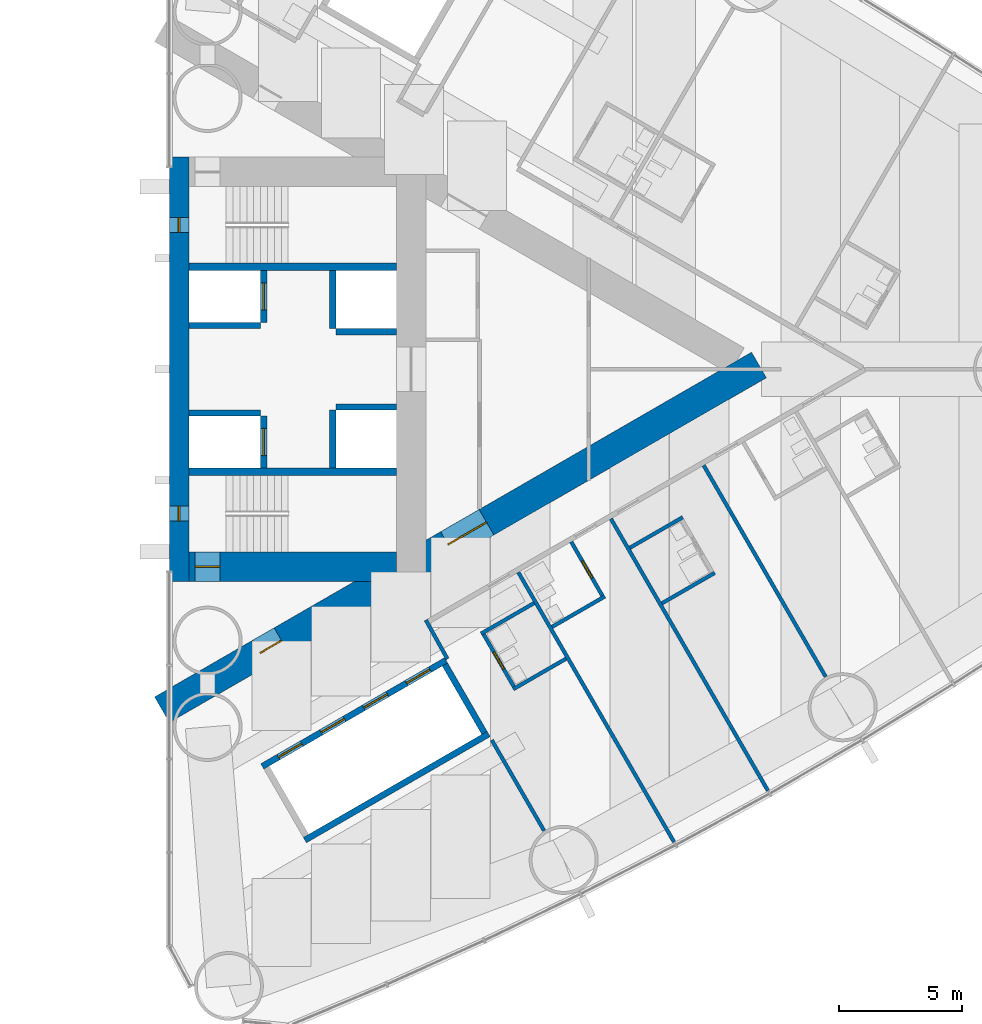
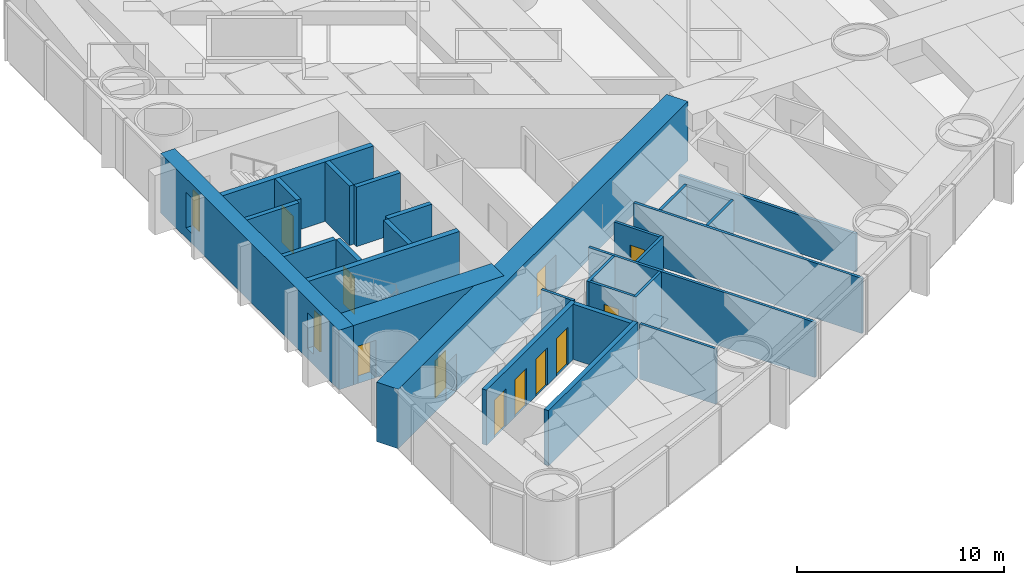
# One storey, part 14 of 19: 28 walls, 11 doors, 2 windows, 13 openings.
"""IFC4 building model written with IfcOpenShell, lengths in metres."""

from ifc_helpers import new_model, si_unit, direction, frame, frame_2d, origin, place, context, subcontext, project, spatial, rectangle, extrude, material, layer, layer_set, type_object, element, fill, save


model = new_model("IFC4")

# Units and contexts
model_context = context("Model", 3, precision=1e-05, world=origin(), true_north=direction((0.0, 1.0)))
body_context = subcontext(model_context, "Body", "Model", "MODEL_VIEW")
ifc_project = project(units=[si_unit("LENGTHUNIT", "METRE"), si_unit("AREAUNIT", "SQUARE_METRE"), si_unit("VOLUMEUNIT", "CUBIC_METRE"), si_unit("PLANEANGLEUNIT", "RADIAN"), si_unit("MASSUNIT", "GRAM", prefix="KILO")], contexts=[model_context])

# Site, building, storey
site_placement = place(None, origin())
site = spatial("IfcSite", under=ifc_project, at=site_placement, CompositionType="ELEMENT")
building_placement = place(site_placement, origin())
building = spatial("IfcBuilding", under=site, at=building_placement, Name="Lancet Gate Hotel", CompositionType="ELEMENT")
storey_placement = place(building_placement, frame((0.0, 0.0, 67.0)))
storey = spatial("IfcBuildingStorey", under=building, at=storey_placement, Name="L17", CompositionType="ELEMENT", Elevation=67.0)

# Wall
ifc_material_1 = material(Name="Moisture resistant board partition")
ifc_layer_1 = layer(ifc_material_1, 0.14990234375)
ifc_layer_set_1 = layer_set([ifc_layer_1], Name="Bathroom wall 150")
wall_type_1 = type_object("IfcWallType", Name="Bathroom wall 150", PredefinedType="PARTITIONING", material=ifc_layer_set_1)
wall_1_placement = place(storey_placement, frame((43.01220703125, -10.4443359375, 0.0), z_axis=(0.0, 0.0, 1.0), x_axis=(0.866031185235, 0.4999899861, 0.0)))
element("IfcWall", 1, at=wall_1_placement, inside=storey, type_object=wall_type_1, Name="T2 bathroom wall 150 L17", PredefinedType="PARTITIONING", context=body_context, shape_type="SweptSolid", body=[
    extrude(rectangle(XDim=2.47509765625, YDim=0.14990234375, at=frame_2d((1.237548828125, 0.0))), origin(), (0.0, 0.0, 1.0), 3.25),
])

# Wall, opening, door
wall_2_placement = place(storey_placement, frame((43.790771484375, -6.99267578125, 0.0), z_axis=(0.0, 0.0, 1.0), x_axis=(0.500047596559, -0.865997922154, 0.0)))
wall_2 = element("IfcWall", 2, at=wall_2_placement, inside=storey, type_object=wall_type_1, Name="T2 bathroom wall 150 L17", PredefinedType="PARTITIONING", context=body_context, shape_type="SweptSolid", body=[
    extrude(rectangle(XDim=2.599853515625, YDim=0.14990234375, at=frame_2d((1.2998046875, 0.0))), origin(), (0.0, 0.0, 1.0), 3.25),
])
opening_1_placement = place(wall_2_placement, frame((0.89990234375, 0.0, 0.0)))
opening_1 = element("IfcOpeningElement", 3, at=opening_1_placement, cuts=wall_2, Name="Opening 1754-B", PredefinedType="OPENING", context=body_context, shape_type="SweptSolid", body=[
    extrude(rectangle(XDim=0.800048828125, YDim=2.199951171875, at=frame_2d((0.39990234375, 1.10009765625))), frame((0.0, 0.0849609375, 0.0), z_axis=(0.0, -1.0, 0.0), x_axis=(1.0, 0.0, 0.0)), (0.0, 0.0, 1.0), 0.169921875),
])
ifc_material_2 = material(Name="Timber door set", Category="wood")
door_type_1 = type_object("IfcDoorType", Name="Bathroom door 800", OperationType="SINGLE_SWING_RIGHT", PredefinedType="DOOR", material=ifc_material_2)
door_1_placement = place(opening_1_placement, origin())
door_1 = element("IfcDoor", 4, at=door_1_placement, inside=storey, type_object=door_type_1, Name="1754-B", OperationType="SINGLE_SWING_RIGHT", OverallHeight=2.199951171875, OverallWidth=0.800048828125, PredefinedType="DOOR", context=body_context, shape_type="SweptSolid", body=[
    extrude(rectangle(XDim=0.800048828125, YDim=2.199951171875, at=frame_2d((0.39990234375, 1.10009765625))), frame((0.0, 0.02490234375, 0.0), z_axis=(0.0, -1.0, 0.0), x_axis=(1.0, 0.0, 0.0)), (0.0, 0.0, 1.0), 0.050048828125),
])
fill(opening_1, door_1)

# Walls
for number, where, z_axis, x_axis, name in (
    (5, (47.468017578125, -9.48828125, 0.0), (0.0, 0.0, 1.0), (0.86604923931, 0.499958713387, 0.0), "T2 bathroom wall 150 L17"),
    (6, (46.16796875, -7.23681640625, 0.0), (0.0, 0.0, 1.0), (0.866006523861, 0.500032699561, 0.0), "T2 bathroom wall 150 L17"),
):
    element("IfcWall", number, at=place(storey_placement, frame(where, z_axis=z_axis, x_axis=x_axis)), inside=storey, type_object=wall_type_1, Name=name, PredefinedType="PARTITIONING", context=body_context, shape_type="SweptSolid", body=[
        extrude(rectangle(XDim=2.474853515625, YDim=0.14990234375, at=frame_2d((1.2373046875, 0.0))), origin(), (0.0, 0.0, 1.0), 3.25),
    ])
wall_3_placement = place(storey_placement, frame((41.43896484375, -12.96923828125, 0.0), z_axis=(0.0, 0.0, 1.0), x_axis=(0.866031185235, 0.4999899861, 0.0)))
element("IfcWall", 7, at=wall_3_placement, inside=storey, type_object=wall_type_1, Name="T2 bathroom wall 150 L17", PredefinedType="PARTITIONING", context=body_context, shape_type="SweptSolid", body=[
    extrude(rectangle(XDim=2.47509765625, YDim=0.14990234375, at=frame_2d((1.237548828125, 0.0))), origin(), (0.0, 0.0, 1.0), 3.25),
])

# Wall, opening, door
wall_4_placement = place(storey_placement, frame((40.203857421875, -10.679931640625, 0.0), z_axis=(0.0, 0.0, 1.0), x_axis=(0.500006934395, -0.866021400173, 0.0)))
wall_4 = element("IfcWall", 8, at=wall_4_placement, inside=storey, type_object=wall_type_1, Name="T2 bathroom wall 150 L17", PredefinedType="PARTITIONING", context=body_context, shape_type="SweptSolid", body=[
    extrude(rectangle(XDim=2.60009765625, YDim=0.14990234375, at=frame_2d((1.300048828125, 0.0))), origin(), (0.0, 0.0, 1.0), 3.25),
])
opening_2_placement = place(wall_4_placement, frame((0.89990234375, 0.0, 0.0)))
opening_2 = element("IfcOpeningElement", 9, at=opening_2_placement, cuts=wall_4, Name="Opening 1753-B", PredefinedType="OPENING", context=body_context, shape_type="SweptSolid", body=[
    extrude(rectangle(XDim=0.800048828125, YDim=2.199951171875, at=frame_2d((0.39990234375, 1.10009765625))), frame((0.0, 0.0849609375, 0.0), z_axis=(0.0, -1.0, 0.0), x_axis=(1.0, 0.0, 0.0)), (0.0, 0.0, 1.0), 0.169921875),
])
door_2_placement = place(opening_2_placement, origin())
door_2 = element("IfcDoor", 10, at=door_2_placement, inside=storey, type_object=door_type_1, Name="1753-B", OperationType="SINGLE_SWING_RIGHT", OverallHeight=2.199951171875, OverallWidth=0.800048828125, PredefinedType="DOOR", context=body_context, shape_type="SweptSolid", body=[
    extrude(rectangle(XDim=0.800048828125, YDim=2.199951171875, at=frame_2d((0.39990234375, 1.10009765625))), frame((0.0, 0.02490234375, 0.0), z_axis=(0.0, -1.0, 0.0), x_axis=(1.0, 0.0, 0.0)), (0.0, 0.0, 1.0), 0.050048828125),
])
fill(opening_2, door_2)

# Wall
wall_5_placement = place(storey_placement, frame((40.138916015625, -10.717529296875, 0.0), z_axis=(0.0, 0.0, 1.0), x_axis=(0.866031185235, 0.4999899861, 0.0)))
element("IfcWall", 11, at=wall_5_placement, inside=storey, type_object=wall_type_1, Name="T2 bathroom wall 150 L17", PredefinedType="PARTITIONING", context=body_context, shape_type="SweptSolid", body=[
    extrude(rectangle(XDim=2.47509765625, YDim=0.14990234375, at=frame_2d((1.237548828125, 0.0))), origin(), (0.0, 0.0, 1.0), 3.25),
])

# Wall, openings, doors
ifc_material_3 = material(Name="Concrete C70/85", Category="concrete")
ifc_layer_2 = layer(ifc_material_3, 1.199951171875)
ifc_layer_set_2 = layer_set([ifc_layer_2], Name="Buttress wall 1200")
wall_type_2 = type_object("IfcWallType", Name="Buttress wall 1200", PredefinedType="SHEAR", material=ifc_layer_set_2)
wall_6_placement = place(storey_placement, frame((27.199951171875, -13.800048828125, 0.0), z_axis=(0.0, 0.0, 1.0), x_axis=(0.866027159892, 0.499996958321, 0.0)))
wall_6 = element("IfcWall", 12, at=wall_6_placement, inside=storey, type_object=wall_type_2, Name="T2 buttress wall S L17", PredefinedType="SHEAR", context=body_context, shape_type="SweptSolid", body=[
    extrude(rectangle(XDim=27.946533203125, YDim=1.199951171875, at=frame_2d((13.97314453125, 0.0))), origin(), (0.0, 0.0, 1.0), 3.5),
])
opening_3_placement = place(wall_6_placement, frame((4.60009765625, 0.0, 0.0)))
opening_3 = element("IfcOpeningElement", 13, at=opening_3_placement, cuts=wall_6, Name="Opening T2-L17-LS", PredefinedType="OPENING", context=body_context, shape_type="SweptSolid", body=[
    extrude(rectangle(XDim=1.0, YDim=2.199951171875, at=frame_2d((0.5, 1.10009765625))), frame((0.0, 0.60986328125, 0.0), z_axis=(0.0, -1.0, 0.0), x_axis=(1.0, 0.0, 0.0)), (0.0, 0.0, 1.0), 1.219970703125),
])
opening_4_placement = place(wall_6_placement, frame((13.39453125, 0.0, 0.0)))
opening_4 = element("IfcOpeningElement", 14, at=opening_4_placement, cuts=wall_6, Name="Opening T2-L17-LHS", PredefinedType="OPENING", context=body_context, shape_type="SweptSolid", body=[
    extrude(rectangle(XDim=1.800048828125, YDim=2.199951171875, at=frame_2d((0.89990234375, 1.10009765625))), frame((0.0, 0.60986328125, 0.0), z_axis=(0.0, -1.0, 0.0), x_axis=(1.0, 0.0, 0.0)), (0.0, 0.0, 1.0), 1.219970703125),
])
ifc_material_4 = material(Name="Timber door set", Category="wood")
door_type_2 = type_object("IfcDoorType", Name="Lobby double door 1800", OperationType="DOUBLE_DOOR_SINGLE_SWING", PredefinedType="DOOR", material=ifc_material_4)
door_3_placement = place(opening_4_placement, origin())
door_3 = element("IfcDoor", 15, at=door_3_placement, inside=storey, type_object=door_type_2, Name="T2-L17-LHS", OperationType="DOUBLE_DOOR_SINGLE_SWING", OverallHeight=2.199951171875, OverallWidth=1.800048828125, PredefinedType="DOOR", context=body_context, shape_type="SweptSolid", body=[
    extrude(rectangle(XDim=1.800048828125, YDim=2.199951171875, at=frame_2d((0.89990234375, 1.10009765625))), frame((0.0, 0.02490234375, 0.0), z_axis=(0.0, -1.0, 0.0), x_axis=(1.0, 0.0, 0.0)), (0.0, 0.0, 1.0), 0.050048828125),
])
fill(opening_4, door_3)
ifc_material_5 = material(Name="Timber door set", Category="wood")
door_type_3 = type_object("IfcDoorType", Name="Stair lobby door 1000", OperationType="SINGLE_SWING_LEFT", PredefinedType="DOOR", material=ifc_material_5)
door_4_placement = place(opening_3_placement, origin())
door_4 = element("IfcDoor", 16, at=door_4_placement, inside=storey, type_object=door_type_3, Name="T2-L17-LS", OperationType="SINGLE_SWING_LEFT", OverallHeight=2.199951171875, OverallWidth=1.0, PredefinedType="DOOR", context=body_context, shape_type="SweptSolid", body=[
    extrude(rectangle(XDim=1.0, YDim=2.199951171875, at=frame_2d((0.5, 1.10009765625))), frame((0.0, 0.02490234375, 0.0), z_axis=(0.0, -1.0, 0.0), x_axis=(1.0, 0.0, 0.0)), (0.0, 0.0, 1.0), 0.050048828125),
])
fill(opening_3, door_4)

# Wall, opening, door
ifc_material_6 = material(Name="Concrete C70/85", Category="concrete")
ifc_layer_3 = layer(ifc_material_6, 1.199951171875)
ifc_layer_set_3 = layer_set([ifc_layer_3], Name="Core wall 1200")
wall_type_3 = type_object("IfcWallType", Name="Core wall 1200", PredefinedType="SHEAR", material=ifc_layer_set_3)
wall_7_placement = place(storey_placement, frame((28.300048828125, -8.0, 0.0), z_axis=(0.0, 0.0, 1.0), x_axis=(1.0, 0.0, 0.0)))
wall_7 = element("IfcWall", 17, at=wall_7_placement, inside=storey, type_object=wall_type_3, Name="T2 core wall side-S L17", PredefinedType="SHEAR", context=body_context, shape_type="SweptSolid", body=[
    extrude(rectangle(XDim=8.39990234375, YDim=1.199951171875, at=frame_2d((4.199951171875, 0.0))), origin(), (0.0, 0.0, 1.0), 3.5),
])
opening_5_placement = place(wall_7_placement, frame((0.25, 0.0, 0.0)))
opening_5 = element("IfcOpeningElement", 18, at=opening_5_placement, cuts=wall_7, Name="Opening T2-L17-ST1", PredefinedType="OPENING", context=body_context, shape_type="SweptSolid", body=[
    extrude(rectangle(XDim=1.0, YDim=2.199951171875, at=frame_2d((0.5, 1.10009765625))), frame((0.0, 0.60986328125, 0.0), z_axis=(0.0, -1.0, 0.0), x_axis=(1.0, 0.0, 0.0)), (0.0, 0.0, 1.0), 1.219970703125),
])
ifc_material_7 = material(Name="Timber door set", Category="wood")
door_type_4 = type_object("IfcDoorType", Name="Stair door 1000", OperationType="SINGLE_SWING_RIGHT", PredefinedType="DOOR", material=ifc_material_7)
door_5_placement = place(opening_5_placement, origin())
door_5 = element("IfcDoor", 19, at=door_5_placement, inside=storey, type_object=door_type_4, Name="T2-L17-ST1", OperationType="SINGLE_SWING_RIGHT", OverallHeight=2.199951171875, OverallWidth=1.0, PredefinedType="DOOR", context=body_context, shape_type="SweptSolid", body=[
    extrude(rectangle(XDim=1.0, YDim=2.199951171875, at=frame_2d((0.5, 1.10009765625))), frame((0.0, 0.02490234375, 0.0), z_axis=(0.0, -1.0, 0.0), x_axis=(1.0, 0.0, 0.0)), (0.0, 0.0, 1.0), 0.050048828125),
])
fill(opening_5, door_5)

# Wall, openings, windows
ifc_material_8 = material(Name="Concrete C70/85", Category="concrete")
ifc_layer_4 = layer(ifc_material_8, 0.800048828125)
ifc_layer_set_4 = layer_set([ifc_layer_4], Name="Core wall 800")
wall_type_4 = type_object("IfcWallType", Name="Core wall 800", PredefinedType="SHEAR", material=ifc_layer_set_4)
wall_8_placement = place(storey_placement, frame((27.89990234375, -8.60009765625, 0.0), z_axis=(0.0, 0.0, 1.0), x_axis=(0.0, 1.0, 0.0)))
wall_8 = element("IfcWall", 20, at=wall_8_placement, inside=storey, type_object=wall_type_4, Name="T2 core wall front L17", PredefinedType="SHEAR", context=body_context, shape_type="SweptSolid", body=[
    extrude(rectangle(XDim=17.2001953125, YDim=0.800048828125, at=frame_2d((8.60009765625, 0.0))), origin(), (0.0, 0.0, 1.0), 3.5),
])
opening_6_placement = place(wall_8_placement, frame((2.449951171875, 0.0, 0.60009765625)))
opening_6 = element("IfcOpeningElement", 21, at=opening_6_placement, cuts=wall_8, Name="Opening LW1", PredefinedType="OPENING", context=body_context, shape_type="SweptSolid", body=[
    extrude(rectangle(XDim=0.60009765625, YDim=2.10009765625, at=frame_2d((0.300048828125, 1.050048828125))), frame((0.0, 0.409912109375, 0.0), z_axis=(0.0, -1.0, 0.0), x_axis=(1.0, 0.0, 0.0)), (0.0, 0.0, 1.0), 0.820068359375),
])
opening_7_placement = place(wall_8_placement, frame((14.14990234375, 0.0, 0.60009765625)))
opening_7 = element("IfcOpeningElement", 22, at=opening_7_placement, cuts=wall_8, Name="Opening LW1", PredefinedType="OPENING", context=body_context, shape_type="SweptSolid", body=[
    extrude(rectangle(XDim=0.60009765625, YDim=2.10009765625, at=frame_2d((0.300048828125, 1.050048828125))), frame((0.0, 0.409912109375, 0.0), z_axis=(0.0, -1.0, 0.0), x_axis=(1.0, 0.0, 0.0)), (0.0, 0.0, 1.0), 0.820068359375),
])
ifc_material_9 = material(Name="Fire-resisting glazed steel window", Category="steel")
window_type = type_object("IfcWindowType", Name="Lancet window 600x2100", PartitioningType="SINGLE_PANEL", PredefinedType="WINDOW", material=ifc_material_9)
window_1_placement = place(opening_6_placement, origin())
window_1 = element("IfcWindow", 23, at=window_1_placement, inside=storey, type_object=window_type, Name="T2 stair window S L17", OverallHeight=2.10009765625, OverallWidth=0.60009765625, PartitioningType="SINGLE_PANEL", PredefinedType="WINDOW", context=body_context, shape_type="SweptSolid", body=[
    extrude(rectangle(XDim=0.60009765625, YDim=2.10009765625, at=frame_2d((0.300048828125, 1.050048828125))), frame((0.0, 0.030029296875, 0.0), z_axis=(0.0, -1.0, 0.0), x_axis=(1.0, 0.0, 0.0)), (0.0, 0.0, 1.0), 0.06005859375),
])
fill(opening_6, window_1)
window_2_placement = place(opening_7_placement, origin())
window_2 = element("IfcWindow", 24, at=window_2_placement, inside=storey, type_object=window_type, Name="T2 stair window N L17", OverallHeight=2.10009765625, OverallWidth=0.60009765625, PartitioningType="SINGLE_PANEL", PredefinedType="WINDOW", context=body_context, shape_type="SweptSolid", body=[
    extrude(rectangle(XDim=0.60009765625, YDim=2.10009765625, at=frame_2d((0.300048828125, 1.050048828125))), frame((0.0, 0.030029296875, 0.0), z_axis=(0.0, -1.0, 0.0), x_axis=(1.0, 0.0, 0.0)), (0.0, 0.0, 1.0), 0.06005859375),
])
fill(opening_7, window_2)

# Wall, openings, doors
ifc_material_10 = material(Name="Gypsum board partition")
ifc_layer_5 = layer(ifc_material_10, 0.25)
ifc_layer_set_5 = layer_set([ifc_layer_5], Name="Lift shaft partition 250")
wall_type_5 = type_object("IfcWallType", Name="Lift shaft partition 250", PredefinedType="PARTITIONING", material=ifc_layer_set_5)
wall_9_placement = place(storey_placement, frame((31.2705078125, -16.09716796875, 0.0), z_axis=(0.0, 0.0, 1.0), x_axis=(0.86604045752, 0.499973925258, 0.0)))
wall_9 = element("IfcWall", 25, at=wall_9_placement, inside=storey, type_object=wall_type_5, Name="T2 lift shaft wall LR L17", PredefinedType="PARTITIONING", context=body_context, shape_type="SweptSolid", body=[
    extrude(rectangle(XDim=8.60009765625, YDim=0.25, at=frame_2d((4.300048828125, 0.0))), origin(), (0.0, 0.0, 1.0), 3.25),
])
opening_8_placement = place(wall_9_placement, frame((0.75, 0.0, 0.0)))
opening_8 = element("IfcOpeningElement", 26, at=opening_8_placement, cuts=wall_9, Name="Opening T2-LR1-L17", PredefinedType="OPENING", context=body_context, shape_type="SweptSolid", body=[
    extrude(rectangle(XDim=1.10009765625, YDim=2.199951171875, at=frame_2d((0.550048828125, 1.10009765625))), frame((0.0, 0.135009765625, 0.0), z_axis=(0.0, -1.0, 0.0), x_axis=(1.0, 0.0, 0.0)), (0.0, 0.0, 1.0), 0.27001953125),
])
opening_9_placement = place(wall_9_placement, frame((2.75, 0.0, 0.0)))
opening_9 = element("IfcOpeningElement", 27, at=opening_9_placement, cuts=wall_9, Name="Opening T2-LR2-L17", PredefinedType="OPENING", context=body_context, shape_type="SweptSolid", body=[
    extrude(rectangle(XDim=1.10009765625, YDim=2.199951171875, at=frame_2d((0.550048828125, 1.10009765625))), frame((0.0, 0.135009765625, 0.0), z_axis=(0.0, -1.0, 0.0), x_axis=(1.0, 0.0, 0.0)), (0.0, 0.0, 1.0), 0.27001953125),
])
opening_10_placement = place(wall_9_placement, frame((4.75, 0.0, 0.0)))
opening_10 = element("IfcOpeningElement", 28, at=opening_10_placement, cuts=wall_9, Name="Opening T2-LR3-L17", PredefinedType="OPENING", context=body_context, shape_type="SweptSolid", body=[
    extrude(rectangle(XDim=1.10009765625, YDim=2.199951171875, at=frame_2d((0.550048828125, 1.10009765625))), frame((0.0, 0.135009765625, 0.0), z_axis=(0.0, -1.0, 0.0), x_axis=(1.0, 0.0, 0.0)), (0.0, 0.0, 1.0), 0.27001953125),
])
opening_11_placement = place(wall_9_placement, frame((6.75, 0.0, 0.0)))
opening_11 = element("IfcOpeningElement", 29, at=opening_11_placement, cuts=wall_9, Name="Opening T2-LR4-L17", PredefinedType="OPENING", context=body_context, shape_type="SweptSolid", body=[
    extrude(rectangle(XDim=1.10009765625, YDim=2.199951171875, at=frame_2d((0.550048828125, 1.10009765625))), frame((0.0, 0.135009765625, 0.0), z_axis=(0.0, -1.0, 0.0), x_axis=(1.0, 0.0, 0.0)), (0.0, 0.0, 1.0), 0.27001953125),
])
ifc_material_11 = material(Name="Steel door set", Category="steel")
door_type_5 = type_object("IfcDoorType", Name="Lift landing door 1100", OperationType="DOUBLE_DOOR_SLIDING", PredefinedType="USERDEFINED", material=ifc_material_11)
door_6_placement = place(opening_8_placement, origin())
door_6 = element("IfcDoor", 30, at=door_6_placement, inside=storey, type_object=door_type_5, Name="T2-LR1-L17", ObjectType="LIFT LANDING DOOR", OperationType="DOUBLE_DOOR_SLIDING", OverallHeight=2.199951171875, OverallWidth=1.10009765625, PredefinedType="USERDEFINED", context=body_context, shape_type="SweptSolid", body=[
    extrude(rectangle(XDim=1.10009765625, YDim=2.199951171875, at=frame_2d((0.550048828125, 1.10009765625))), frame((0.0, 0.02490234375, 0.0), z_axis=(0.0, -1.0, 0.0), x_axis=(1.0, 0.0, 0.0)), (0.0, 0.0, 1.0), 0.050048828125),
])
fill(opening_8, door_6)
door_7_placement = place(opening_9_placement, origin())
door_7 = element("IfcDoor", 31, at=door_7_placement, inside=storey, type_object=door_type_5, Name="T2-LR2-L17", ObjectType="LIFT LANDING DOOR", OperationType="DOUBLE_DOOR_SLIDING", OverallHeight=2.199951171875, OverallWidth=1.10009765625, PredefinedType="USERDEFINED", context=body_context, shape_type="SweptSolid", body=[
    extrude(rectangle(XDim=1.10009765625, YDim=2.199951171875, at=frame_2d((0.550048828125, 1.10009765625))), frame((0.0, 0.02490234375, 0.0), z_axis=(0.0, -1.0, 0.0), x_axis=(1.0, 0.0, 0.0)), (0.0, 0.0, 1.0), 0.050048828125),
])
fill(opening_9, door_7)
door_8_placement = place(opening_10_placement, origin())
door_8 = element("IfcDoor", 32, at=door_8_placement, inside=storey, type_object=door_type_5, Name="T2-LR3-L17", ObjectType="LIFT LANDING DOOR", OperationType="DOUBLE_DOOR_SLIDING", OverallHeight=2.199951171875, OverallWidth=1.10009765625, PredefinedType="USERDEFINED", context=body_context, shape_type="SweptSolid", body=[
    extrude(rectangle(XDim=1.10009765625, YDim=2.199951171875, at=frame_2d((0.550048828125, 1.10009765625))), frame((0.0, 0.02490234375, 0.0), z_axis=(0.0, -1.0, 0.0), x_axis=(1.0, 0.0, 0.0)), (0.0, 0.0, 1.0), 0.050048828125),
])
fill(opening_10, door_8)
door_9_placement = place(opening_11_placement, origin())
door_9 = element("IfcDoor", 33, at=door_9_placement, inside=storey, type_object=door_type_5, Name="T2-LR4-L17", ObjectType="LIFT LANDING DOOR", OperationType="DOUBLE_DOOR_SLIDING", OverallHeight=2.199951171875, OverallWidth=1.10009765625, PredefinedType="USERDEFINED", context=body_context, shape_type="SweptSolid", body=[
    extrude(rectangle(XDim=1.10009765625, YDim=2.199951171875, at=frame_2d((0.550048828125, 1.10009765625))), frame((0.0, 0.02490234375, 0.0), z_axis=(0.0, -1.0, 0.0), x_axis=(1.0, 0.0, 0.0)), (0.0, 0.0, 1.0), 0.050048828125),
])
fill(opening_11, door_9)

# Walls
wall_10_placement = place(storey_placement, frame((32.99560546875, -19.085693359375, 0.0), z_axis=(0.0, 0.0, 1.0), x_axis=(0.866028165386, 0.499995216735, 0.0)))
element("IfcWall", 34, at=wall_10_placement, inside=storey, type_object=wall_type_5, Name="T2 lift shaft wall LR L17", PredefinedType="PARTITIONING", context=body_context, shape_type="SweptSolid", body=[
    extrude(rectangle(XDim=8.60009765625, YDim=0.25, at=frame_2d((4.300048828125, 0.0))), origin(), (0.0, 0.0, 1.0), 3.25),
])
wall_11_placement = place(storey_placement, frame((38.672607421875, -11.968017578125, 0.0), z_axis=(0.0, 0.0, 1.0), x_axis=(0.499929347863, -0.866066190972, 0.0)))
element("IfcWall", 35, at=wall_11_placement, inside=storey, type_object=wall_type_5, Name="T2 lift shaft wall LR L17", PredefinedType="PARTITIONING", context=body_context, shape_type="SweptSolid", body=[
    extrude(rectangle(XDim=3.20068359375, YDim=0.25, at=frame_2d((1.600341796875, 0.0))), origin(), (0.0, 0.0, 1.0), 3.25),
])

# Wall, opening, door
ifc_material_12 = material(Name="Concrete C50/60", Category="concrete")
ifc_layer_6 = layer(ifc_material_12, 0.25)
ifc_layer_set_6 = layer_set([ifc_layer_6], Name="Lift shaft wall 250")
wall_type_6 = type_object("IfcWallType", Name="Lift shaft wall 250", PredefinedType="SHEAR", material=ifc_layer_set_6)
wall_12_placement = place(storey_placement, frame((31.324951171875, -4.0, 0.0), z_axis=(0.0, 0.0, 1.0), x_axis=(0.0, 1.0, 0.0)))
wall_12 = element("IfcWall", 36, at=wall_12_placement, inside=storey, type_object=wall_type_6, Name="T2 core wall row1-S L17", PredefinedType="SHEAR", context=body_context, shape_type="SweptSolid", body=[
    extrude(rectangle(XDim=2.10009765625, YDim=0.25, at=frame_2d((1.050048828125, 0.0))), origin(), (0.0, 0.0, 1.0), 3.5),
])
opening_12_placement = place(wall_12_placement, frame((0.5, 0.0, 0.0)))
opening_12 = element("IfcOpeningElement", 37, at=opening_12_placement, cuts=wall_12, Name="Opening T2-SL1-L17", PredefinedType="OPENING", context=body_context, shape_type="SweptSolid", body=[
    extrude(rectangle(XDim=1.10009765625, YDim=2.199951171875, at=frame_2d((0.550048828125, 1.10009765625))), frame((0.0, 0.135009765625, 0.0), z_axis=(0.0, -1.0, 0.0), x_axis=(1.0, 0.0, 0.0)), (0.0, 0.0, 1.0), 0.27001953125),
])
ifc_material_13 = material(Name="Timber door set", Category="wood")
door_type_6 = type_object("IfcDoorType", Name="Service lift landing door 1100", OperationType="SLIDING_TO_LEFT", PredefinedType="USERDEFINED", material=ifc_material_13)
door_10_placement = place(opening_12_placement, origin())
door_10 = element("IfcDoor", 38, at=door_10_placement, inside=storey, type_object=door_type_6, Name="T2-SL1-L17", ObjectType="LIFT LANDING DOOR", OperationType="SLIDING_TO_LEFT", OverallHeight=2.199951171875, OverallWidth=1.10009765625, PredefinedType="USERDEFINED", context=body_context, shape_type="SweptSolid", body=[
    extrude(rectangle(XDim=1.10009765625, YDim=2.199951171875, at=frame_2d((0.550048828125, 1.10009765625))), frame((0.0, 0.02490234375, 0.0), z_axis=(0.0, -1.0, 0.0), x_axis=(1.0, 0.0, 0.0)), (0.0, 0.0, 1.0), 0.050048828125),
])
fill(opening_12, door_10)

# Walls
wall_13_placement = place(storey_placement, frame((34.125, -4.0, 0.0), z_axis=(0.0, 0.0, 1.0), x_axis=(0.0, 1.0, 0.0)))
element("IfcWall", 39, at=wall_13_placement, inside=storey, type_object=wall_type_6, Name="T2 core wall row2-S L17", PredefinedType="SHEAR", context=body_context, shape_type="SweptSolid", body=[
    extrude(rectangle(XDim=2.35009765625, YDim=0.25, at=frame_2d((1.175048828125, 0.0))), origin(), (0.0, 0.0, 1.0), 3.5),
])
wall_14_placement = place(storey_placement, frame((28.300048828125, -1.77490234375, 0.0), z_axis=(0.0, 0.0, 1.0), x_axis=(1.0, 0.0, 0.0)))
element("IfcWall", 40, at=wall_14_placement, inside=storey, type_object=wall_type_6, Name="T2 core wall pass1-S L17", PredefinedType="SHEAR", context=body_context, shape_type="SweptSolid", body=[
    extrude(rectangle(XDim=2.89990234375, YDim=0.25, at=frame_2d((1.449951171875, 0.0))), origin(), (0.0, 0.0, 1.0), 3.5),
])
wall_15_placement = place(storey_placement, frame((34.25, -1.52490234375, 0.0), z_axis=(0.0, 0.0, 1.0), x_axis=(1.0, 0.0, 0.0)))
element("IfcWall", 41, at=wall_15_placement, inside=storey, type_object=wall_type_6, Name="T2 core wall pass2-S L17", PredefinedType="SHEAR", context=body_context, shape_type="SweptSolid", body=[
    extrude(rectangle(XDim=2.449951171875, YDim=0.25, at=frame_2d((1.22509765625, 0.0))), origin(), (0.0, 0.0, 1.0), 3.5),
])

# Wall, opening, door
wall_16_placement = place(storey_placement, frame((31.324951171875, 1.89990234375, 0.0), z_axis=(0.0, 0.0, 1.0), x_axis=(0.0, 1.0, 0.0)))
wall_16 = element("IfcWall", 42, at=wall_16_placement, inside=storey, type_object=wall_type_6, Name="T2 core wall row1-N L17", PredefinedType="SHEAR", context=body_context, shape_type="SweptSolid", body=[
    extrude(rectangle(XDim=2.10009765625, YDim=0.25, at=frame_2d((1.050048828125, 0.0))), origin(), (0.0, 0.0, 1.0), 3.5),
])
opening_13_placement = place(wall_16_placement, frame((0.5, 0.0, 0.0)))
opening_13 = element("IfcOpeningElement", 43, at=opening_13_placement, cuts=wall_16, Name="Opening T2-FL2-L17", PredefinedType="OPENING", context=body_context, shape_type="SweptSolid", body=[
    extrude(rectangle(XDim=1.10009765625, YDim=2.199951171875, at=frame_2d((0.550048828125, 1.10009765625))), frame((0.0, 0.135009765625, 0.0), z_axis=(0.0, -1.0, 0.0), x_axis=(1.0, 0.0, 0.0)), (0.0, 0.0, 1.0), 0.27001953125),
])
ifc_material_14 = material(Name="Steel door set", Category="steel")
door_type_7 = type_object("IfcDoorType", Name="Firefighting lift landing door 1100", OperationType="SLIDING_TO_LEFT", PredefinedType="USERDEFINED", material=ifc_material_14)
door_11_placement = place(opening_13_placement, origin())
door_11 = element("IfcDoor", 44, at=door_11_placement, inside=storey, type_object=door_type_7, Name="T2-FL2-L17", ObjectType="LIFT LANDING DOOR", OperationType="SLIDING_TO_LEFT", OverallHeight=2.199951171875, OverallWidth=1.10009765625, PredefinedType="USERDEFINED", context=body_context, shape_type="SweptSolid", body=[
    extrude(rectangle(XDim=1.10009765625, YDim=2.199951171875, at=frame_2d((0.550048828125, 1.10009765625))), frame((0.0, 0.02490234375, 0.0), z_axis=(0.0, -1.0, 0.0), x_axis=(1.0, 0.0, 0.0)), (0.0, 0.0, 1.0), 0.050048828125),
])
fill(opening_13, door_11)

# Walls
wall_17_placement = place(storey_placement, frame((34.125, 1.64990234375, 0.0), z_axis=(0.0, 0.0, 1.0), x_axis=(0.0, 1.0, 0.0)))
element("IfcWall", 45, at=wall_17_placement, inside=storey, type_object=wall_type_6, Name="T2 core wall row2-N L17", PredefinedType="SHEAR", context=body_context, shape_type="SweptSolid", body=[
    extrude(rectangle(XDim=2.35009765625, YDim=0.25, at=frame_2d((1.175048828125, 0.0))), origin(), (0.0, 0.0, 1.0), 3.5),
])
wall_18_placement = place(storey_placement, frame((28.300048828125, 1.77490234375, 0.0), z_axis=(0.0, 0.0, 1.0), x_axis=(1.0, 0.0, 0.0)))
element("IfcWall", 46, at=wall_18_placement, inside=storey, type_object=wall_type_6, Name="T2 core wall pass1-N L17", PredefinedType="SHEAR", context=body_context, shape_type="SweptSolid", body=[
    extrude(rectangle(XDim=2.89990234375, YDim=0.25, at=frame_2d((1.449951171875, 0.0))), origin(), (0.0, 0.0, 1.0), 3.5),
])
wall_19_placement = place(storey_placement, frame((34.25, 1.52490234375, 0.0), z_axis=(0.0, 0.0, 1.0), x_axis=(1.0, 0.0, 0.0)))
element("IfcWall", 47, at=wall_19_placement, inside=storey, type_object=wall_type_6, Name="T2 core wall pass2-N L17", PredefinedType="SHEAR", context=body_context, shape_type="SweptSolid", body=[
    extrude(rectangle(XDim=2.449951171875, YDim=0.25, at=frame_2d((1.22509765625, 0.0))), origin(), (0.0, 0.0, 1.0), 3.5),
])
ifc_material_15 = material(Name="Gypsum board partition")
ifc_layer_7 = layer(ifc_material_15, 0.14990234375)
ifc_layer_set_7 = layer_set([ifc_layer_7], Name="Party wall 150")
wall_type_7 = type_object("IfcWallType", Name="Party wall 150", PredefinedType="PARTITIONING", material=ifc_layer_set_7)
wall_20_placement = place(storey_placement, frame((41.6474609375, -8.22998046875, 0.0), z_axis=(0.0, 0.0, 1.0), x_axis=(0.49998590462, -0.866033541603, 0.0)))
element("IfcWall", 48, at=wall_20_placement, inside=storey, type_object=wall_type_7, Name="T2 party wall 150 L17", PredefinedType="PARTITIONING", context=body_context, shape_type="SweptSolid", body=[
    extrude(rectangle(XDim=12.620849609375, YDim=0.14990234375, at=frame_2d((6.310546875, 0.0))), origin(), (0.0, 0.0, 1.0), 3.25),
])
wall_21_placement = place(storey_placement, frame((45.40283203125, -6.061767578125, 0.0), z_axis=(0.0, 0.0, 1.0), x_axis=(0.500007077968, -0.866021317279, 0.0)))
element("IfcWall", 49, at=wall_21_placement, inside=storey, type_object=wall_type_7, Name="T2 party wall 150 L17", PredefinedType="PARTITIONING", context=body_context, shape_type="SweptSolid", body=[
    extrude(rectangle(XDim=12.721435546875, YDim=0.14990234375, at=frame_2d((6.36083984375, 0.0))), origin(), (0.0, 0.0, 1.0), 3.25),
])
wall_22_placement = place(storey_placement, frame((49.159423828125, -3.892822265625, 0.0), z_axis=(0.0, 0.0, 1.0), x_axis=(0.499998773722, -0.866026111775, 0.0)))
element("IfcWall", 50, at=wall_22_placement, inside=storey, type_object=wall_type_7, Name="T2 party wall 150 L17", PredefinedType="PARTITIONING", context=body_context, shape_type="SweptSolid", body=[
    extrude(rectangle(XDim=9.8916015625, YDim=0.14990234375, at=frame_2d((4.94580078125, 0.0))), origin(), (0.0, 0.0, 1.0), 2.25),
])
wall_23_placement = place(storey_placement, frame((40.5703125, -15.030029296875, 0.0), z_axis=(0.0, 0.0, 1.0), x_axis=(0.500012993597, -0.866017901798, 0.0)))
element("IfcWall", 51, at=wall_23_placement, inside=storey, type_object=wall_type_7, Name="T2 party wall 150 L17", PredefinedType="PARTITIONING", context=body_context, shape_type="SweptSolid", body=[
    extrude(rectangle(XDim=4.2431640625, YDim=0.14990234375, at=frame_2d((2.12158203125, 0.0))), origin(), (0.0, 0.0, 1.0), 3.25),
])
ifc_material_16 = material(Name="Gypsum board partition")
ifc_layer_8 = layer(ifc_material_16, 0.14990234375)
ifc_layer_set_8 = layer_set([ifc_layer_8], Name="Service room wall 150")
wall_type_8 = type_object("IfcWallType", Name="Service room wall 150", PredefinedType="PARTITIONING", material=ifc_layer_set_8)
wall_24_placement = place(storey_placement, frame((38.7734375, -11.742431640625, 0.0), z_axis=(0.0, 0.0, 1.0), x_axis=(-0.485528096672, 0.8742210632, 0.0)))
element("IfcWall", 52, at=wall_24_placement, inside=storey, type_object=wall_type_8, Name="T2 service room wall 150 L17", PredefinedType="PARTITIONING", context=body_context, shape_type="SweptSolid", body=[
    extrude(rectangle(XDim=1.80517578125, YDim=0.14990234375, at=frame_2d((0.902587890625, 0.0))), origin(), (0.0, 0.0, 1.0), 3.25),
])
ifc_material_17 = material(Name="Concrete C50/60", Category="concrete")
ifc_layer_9 = layer(ifc_material_17, 0.300048828125)
ifc_layer_set_9 = layer_set([ifc_layer_9], Name="Stair enclosure wall 300")
wall_type_9 = type_object("IfcWallType", Name="Stair enclosure wall 300", PredefinedType="SHEAR", material=ifc_layer_set_9)
for number, where, z_axis, x_axis, name in (
    (53, (28.300048828125, -4.14990234375, 0.0), (0.0, 0.0, 1.0), (1.0, 0.0, 0.0), "T2 core wall stair-S L17"),
    (54, (28.300048828125, 4.14990234375, 0.0), (0.0, 0.0, 1.0), (1.0, 0.0, 0.0), "T2 core wall stair-N L17"),
):
    element("IfcWall", number, at=place(storey_placement, frame(where, z_axis=z_axis, x_axis=x_axis)), inside=storey, type_object=wall_type_9, Name=name, PredefinedType="SHEAR", context=body_context, shape_type="SweptSolid", body=[
        extrude(rectangle(XDim=8.39990234375, YDim=0.300048828125, at=frame_2d((4.199951171875, 0.0))), origin(), (0.0, 0.0, 1.0), 3.5),
    ])

save(model, "model.ifc")
